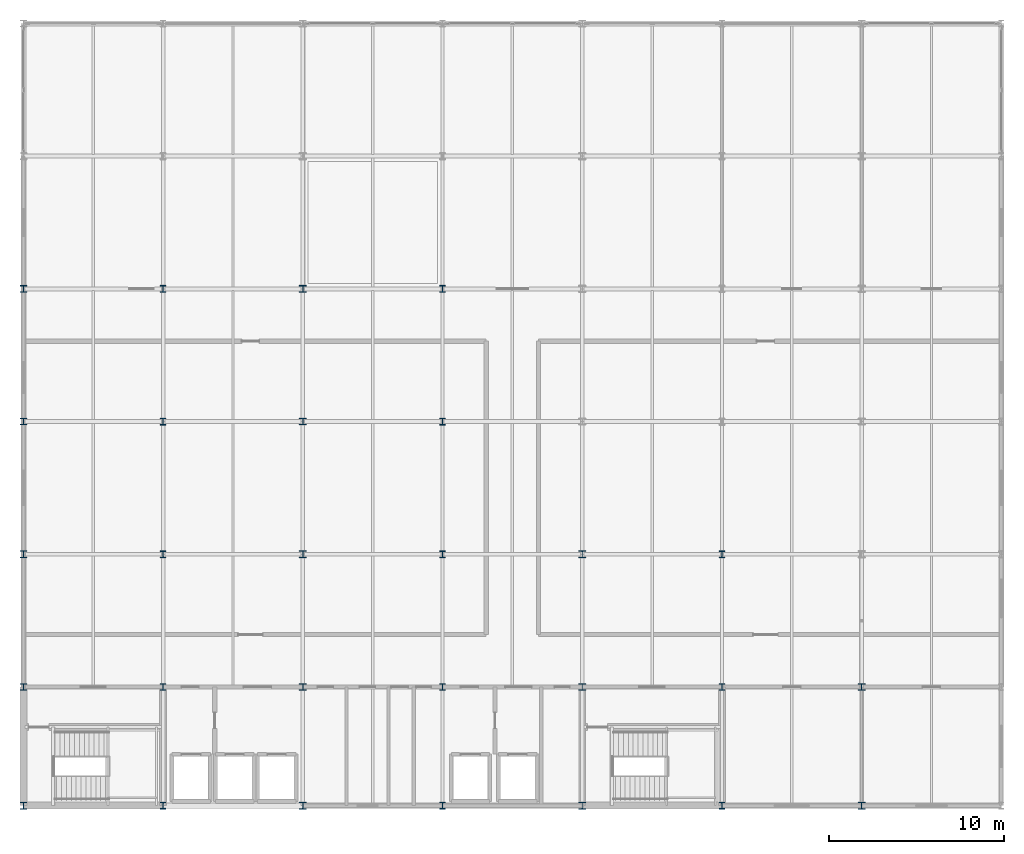
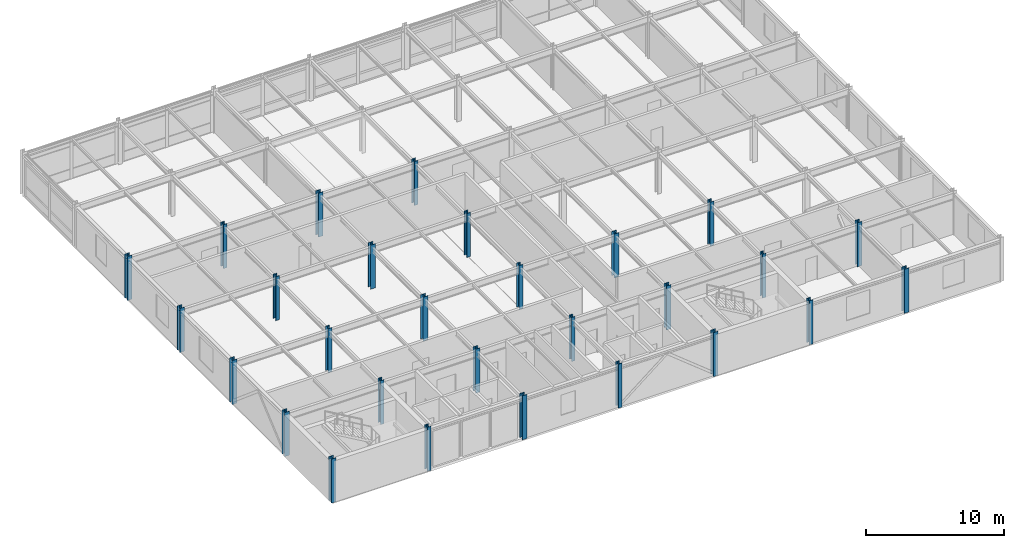
# One storey, part 1 of 14: 28 columns.
"""IFC4 building model written with IfcOpenShell, lengths in metres."""

from ifc_helpers import new_model, si_unit, direction, frame, origin, origin_2d, place, context, subcontext, project, spatial, i_section, extrude, material, material_profile, profile_set, type_object, element, save


model = new_model("IFC4")

# Units and contexts
model_context = context("Model", 3, precision=1e-05, world=origin(), true_north=direction((0.0, 1.0)))
body_context = subcontext(model_context, "Body", "Model", "MODEL_VIEW")
ifc_project = project(units=[si_unit("LENGTHUNIT", "METRE"), si_unit("AREAUNIT", "SQUARE_METRE"), si_unit("VOLUMEUNIT", "CUBIC_METRE"), si_unit("PLANEANGLEUNIT", "RADIAN"), si_unit("MASSUNIT", "GRAM", prefix="KILO")], contexts=[model_context])

# Site, building, storey
site_placement = place(None, origin())
site = spatial("IfcSite", under=ifc_project, at=site_placement, CompositionType="ELEMENT")
building_placement = place(site_placement, origin())
building = spatial("IfcBuilding", under=site, at=building_placement, Name="Shalkamar Park Central Library", CompositionType="ELEMENT")
storey_placement = place(building_placement, frame((0.0, 0.0, 28.199951171875)))
storey = spatial("IfcBuildingStorey", under=building, at=storey_placement, Name="L07", CompositionType="ELEMENT", Elevation=28.199951171875)

# Columns
ifc_material = material(Name="Steel S355", Category="steel")
ifc_material_profile_1 = material_profile(ifc_material, i_section(OverallWidth=0.39794921875, OverallDepth=0.386962890625, WebThickness=0.02099609375, FlangeThickness=0.033203125, FilletRadius=0.014892578125, at=origin_2d()), Name="HD 400x262")
ifc_profile_set_1 = profile_set([ifc_material_profile_1], Name="Steel S355")
column_type_1 = type_object("IfcColumnType", Name="Column Steel HD400x262", PredefinedType="COLUMN", material=ifc_profile_set_1)
for number, where, z_axis, x_axis, name in (
    (1, (165.0, 248.39990234375, 0.0), (0.0, 0.0, 1.0), (1.0, 0.0, 0.0), "Column 07/B (L07)"),
    (2, (165.0, 255.199951171875, 0.0), (0.0, 0.0, 1.0), (1.0, 0.0, 0.0), "Column 07/C (L07)"),
    (3, (165.0, 262.800048828125, 0.0), (0.0, 0.0, 1.0), (1.0, 0.0, 0.0), "Column 07/D (L07)"),
    (4, (165.0, 270.39990234375, 0.0), (0.0, 0.0, 1.0), (1.0, 0.0, 0.0), "Column 07/E (L07)"),
    (5, (165.0, 278.0, 0.0), (0.0, 0.0, 1.0), (1.0, 0.0, 0.0), "Column 07/F (L07)"),
    (6, (181.0, 248.39990234375, 0.0), (0.0, 0.0, 1.0), (1.0, 0.0, 0.0), "Column 09/B (L07)"),
    (7, (181.0, 255.199951171875, 0.0), (0.0, 0.0, 1.0), (1.0, 0.0, 0.0), "Column 09/C (L07)"),
    (8, (181.0, 262.800048828125, 0.0), (0.0, 0.0, 1.0), (1.0, 0.0, 0.0), "Column 09/D (L07)"),
    (9, (181.0, 270.39990234375, 0.0), (0.0, 0.0, 1.0), (1.0, 0.0, 0.0), "Column 09/E (L07)"),
    (10, (181.0, 278.0, 0.0), (0.0, 0.0, 1.0), (1.0, 0.0, 0.0), "Column 09/F (L07)"),
    (11, (197.0, 248.39990234375, 0.0), (0.0, 0.0, 1.0), (1.0, 0.0, 0.0), "Column 11/B (L07)"),
    (12, (197.0, 255.199951171875, 0.0), (0.0, 0.0, 1.0), (1.0, 0.0, 0.0), "Column 11/C (L07)"),
    (13, (197.0, 262.800048828125, 0.0), (0.0, 0.0, 1.0), (1.0, 0.0, 0.0), "Column 11/D (L07)"),
    (14, (213.0, 248.39990234375, 0.0), (0.0, 0.0, 1.0), (1.0, 0.0, 0.0), "Column 13/B (L07)"),
    (15, (213.0, 255.199951171875, 0.0), (0.0, 0.0, 1.0), (1.0, 0.0, 0.0), "Column 13/C (L07)"),
):
    element("IfcColumn", number, at=place(storey_placement, frame(where, z_axis=z_axis, x_axis=x_axis)), inside=storey, type_object=column_type_1, Name=name, PredefinedType="COLUMN", context=body_context, shape_type="SweptSolid", body=[
        extrude(i_section(OverallWidth=0.39794921875, OverallDepth=0.386962890625, WebThickness=0.02099609375, FlangeThickness=0.033203125, FilletRadius=0.014892578125, at=origin_2d()), origin(), (0.0, 0.0, 1.0), 3.900146484375),
    ])
ifc_material_profile_2 = material_profile(ifc_material, i_section(OverallWidth=0.30810546875, OverallDepth=0.39501953125, WebThickness=0.02099609375, FlangeThickness=0.0400390625, FilletRadius=0.027099609375, at=origin_2d()), Name="HEM 360")
ifc_profile_set_2 = profile_set([ifc_material_profile_2], Name="Steel S355")
column_type_2 = type_object("IfcColumnType", Name="Column Steel HEM360", PredefinedType="COLUMN", material=ifc_profile_set_2)
for number, where, z_axis, x_axis, name in (
    (16, (173.0, 248.39990234375, 0.0), (0.0, 0.0, 1.0), (1.0, 0.0, 0.0), "Column 08/B (L07)"),
    (17, (173.0, 255.199951171875, 0.0), (0.0, 0.0, 1.0), (1.0, 0.0, 0.0), "Column 08/C (L07)"),
    (18, (173.0, 262.800048828125, 0.0), (0.0, 0.0, 1.0), (1.0, 0.0, 0.0), "Column 08/D (L07)"),
    (19, (173.0, 270.39990234375, 0.0), (0.0, 0.0, 1.0), (1.0, 0.0, 0.0), "Column 08/E (L07)"),
    (20, (173.0, 278.0, 0.0), (0.0, 0.0, 1.0), (1.0, 0.0, 0.0), "Column 08/F (L07)"),
    (21, (189.0, 248.39990234375, 0.0), (0.0, 0.0, 1.0), (1.0, 0.0, 0.0), "Column 10/B (L07)"),
    (22, (189.0, 255.199951171875, 0.0), (0.0, 0.0, 1.0), (1.0, 0.0, 0.0), "Column 10/C (L07)"),
    (23, (189.0, 262.800048828125, 0.0), (0.0, 0.0, 1.0), (1.0, 0.0, 0.0), "Column 10/D (L07)"),
    (24, (189.0, 270.39990234375, 0.0), (0.0, 0.0, 1.0), (1.0, 0.0, 0.0), "Column 10/E (L07)"),
    (25, (189.0, 278.0, 0.0), (0.0, 0.0, 1.0), (1.0, 0.0, 0.0), "Column 10/F (L07)"),
    (26, (205.0, 248.39990234375, 0.0), (0.0, 0.0, 1.0), (1.0, 0.0, 0.0), "Column 12/B (L07)"),
    (27, (205.0, 255.199951171875, 0.0), (0.0, 0.0, 1.0), (1.0, 0.0, 0.0), "Column 12/C (L07)"),
    (28, (205.0, 262.800048828125, 0.0), (0.0, 0.0, 1.0), (1.0, 0.0, 0.0), "Column 12/D (L07)"),
):
    element("IfcColumn", number, at=place(storey_placement, frame(where, z_axis=z_axis, x_axis=x_axis)), inside=storey, type_object=column_type_2, Name=name, PredefinedType="COLUMN", context=body_context, shape_type="SweptSolid", body=[
        extrude(i_section(OverallWidth=0.30810546875, OverallDepth=0.39501953125, WebThickness=0.02099609375, FlangeThickness=0.0400390625, FilletRadius=0.027099609375, at=origin_2d()), origin(), (0.0, 0.0, 1.0), 3.900146484375),
    ])

save(model, "model.ifc")
